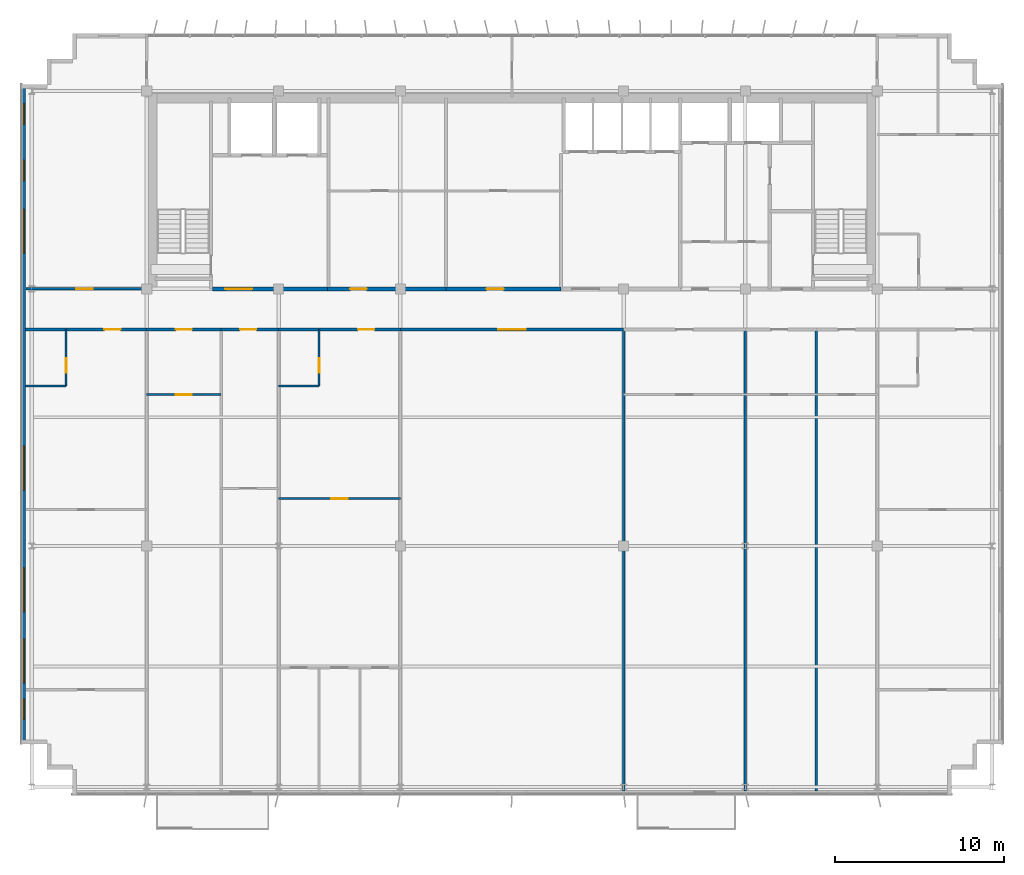
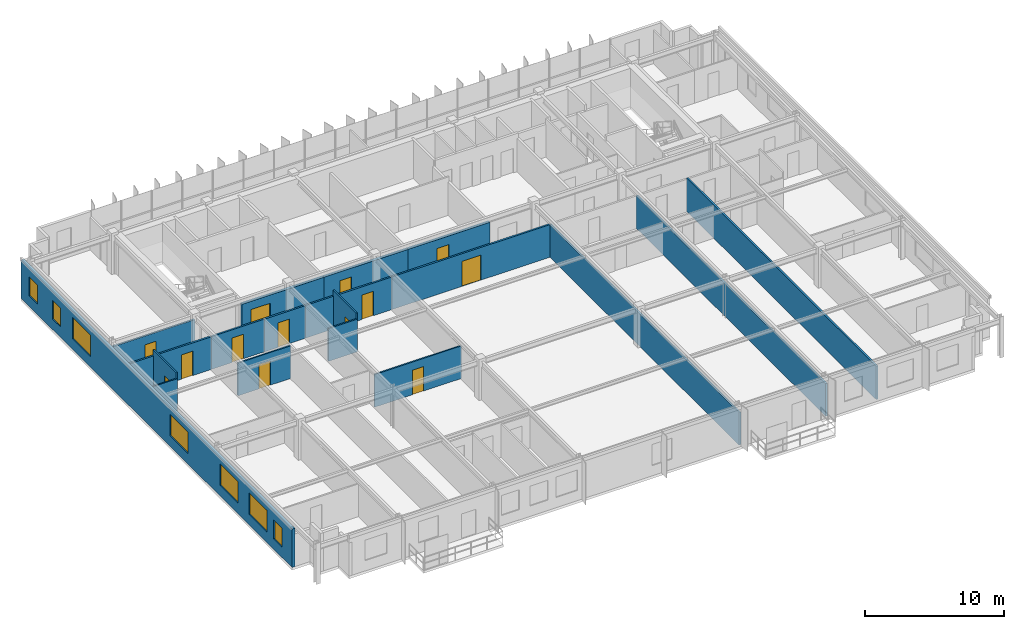
# One storey, part 17 of 22: 19 walls, 13 doors, 7 windows, 20 openings.
"""IFC4 building model written with IfcOpenShell, lengths in metres."""

from ifc_helpers import new_model, si_unit, direction, frame, frame_2d, origin, place, context, subcontext, project, spatial, rectangle, extrude, source, transform, mapped, material, layer, layer_set, type_object, element, fill, save


model = new_model("IFC4")

# Units and contexts
model_context = context("Model", 3, precision=1e-05, world=origin(), true_north=direction((0.0, 1.0)))
body_context = subcontext(model_context, "Body", "Model", "MODEL_VIEW")
ifc_project = project(units=[si_unit("LENGTHUNIT", "METRE"), si_unit("AREAUNIT", "SQUARE_METRE"), si_unit("VOLUMEUNIT", "CUBIC_METRE"), si_unit("PLANEANGLEUNIT", "RADIAN"), si_unit("MASSUNIT", "GRAM", prefix="KILO")], contexts=[model_context])

# Site, building, storey
site_placement = place(None, origin())
site = spatial("IfcSite", under=ifc_project, at=site_placement, CompositionType="ELEMENT")
building_placement = place(site_placement, origin())
building = spatial("IfcBuilding", under=site, at=building_placement, Name="Trelvane Seafront Commons", CompositionType="ELEMENT")
storey_placement = place(building_placement, frame((0.0, 0.0, 270.300048828125)))
storey = spatial("IfcBuildingStorey", under=building, at=storey_placement, Name="L70", CompositionType="ELEMENT", Elevation=270.300048828125)

# Wall, openings, windows
ifc_material_1 = material(Name="Precast concrete C40/50", Category="concrete")
ifc_layer_1 = layer(ifc_material_1, 0.239990234375, Name="ARCH-WALL-EXT240")
ifc_layer_set_1 = layer_set([ifc_layer_1], Name="Precast concrete C40/50")
wall_type_1 = type_object("IfcWallType", Name="ARCH-WALL-EXT240", PredefinedType="SOLIDWALL", material=ifc_layer_set_1)
wall_1_placement = place(storey_placement, frame((8.320068359375, 6.5, 0.0), z_axis=(0.0, 0.0, 1.0), x_axis=(0.0, 1.0, 0.0)))
wall_1 = element("IfcWall", 1, at=wall_1_placement, inside=storey, type_object=wall_type_1, Name="EW-L70-01408", PredefinedType="SOLIDWALL", context=body_context, shape_type="SweptSolid", body=[
    extrude(rectangle(XDim=39.0, YDim=0.239990234375, at=frame_2d((19.5, 0.0))), origin(), (0.0, 0.0, 1.0), 3.369873046875),
])
opening_1_placement = place(wall_1_placement, frame((1.449951171875, 0.0, 0.919921875)))
opening_1 = element("IfcOpeningElement", 2, at=opening_1_placement, cuts=wall_1, Name="Opening W05", PredefinedType="OPENING", context=body_context, shape_type="SweptSolid", body=[
    extrude(rectangle(XDim=1.199951171875, YDim=1.64990234375, at=frame_2d((0.60009765625, 0.824951171875))), frame((0.0, 0.1298828125, 0.0), z_axis=(0.0, -1.0, 0.0), x_axis=(1.0, 0.0, 0.0)), (0.0, 0.0, 1.0), 0.260009765625),
])
opening_2_placement = place(wall_1_placement, frame((3.60009765625, 0.0, 0.919921875)))
opening_2 = element("IfcOpeningElement", 3, at=opening_2_placement, cuts=wall_1, Name="Opening W04", PredefinedType="OPENING", context=body_context, shape_type="SweptSolid", body=[
    extrude(rectangle(XDim=2.60009765625, YDim=1.89990234375, at=frame_2d((1.300048828125, 0.949951171875))), frame((0.0, 0.1298828125, 0.0), z_axis=(0.0, -1.0, 0.0), x_axis=(1.0, 0.0, 0.0)), (0.0, 0.0, 1.0), 0.260009765625),
])
opening_3_placement = place(wall_1_placement, frame((7.800048828125, 0.0, 0.919921875)))
opening_3 = element("IfcOpeningElement", 4, at=opening_3_placement, cuts=wall_1, Name="Opening W04", PredefinedType="OPENING", context=body_context, shape_type="SweptSolid", body=[
    extrude(rectangle(XDim=2.60009765625, YDim=1.89990234375, at=frame_2d((1.300048828125, 0.949951171875))), frame((0.0, 0.1298828125, 0.0), z_axis=(0.0, -1.0, 0.0), x_axis=(1.0, 0.0, 0.0)), (0.0, 0.0, 1.0), 0.260009765625),
])
opening_4_placement = place(wall_1_placement, frame((15.0, 0.0, 0.919921875)))
opening_4 = element("IfcOpeningElement", 5, at=opening_4_placement, cuts=wall_1, Name="Opening W04", PredefinedType="OPENING", context=body_context, shape_type="SweptSolid", body=[
    extrude(rectangle(XDim=2.60009765625, YDim=1.89990234375, at=frame_2d((1.300048828125, 0.949951171875))), frame((0.0, 0.1298828125, 0.0), z_axis=(0.0, -1.0, 0.0), x_axis=(1.0, 0.0, 0.0)), (0.0, 0.0, 1.0), 0.260009765625),
])
opening_5_placement = place(wall_1_placement, frame((29.0, 0.0, 0.919921875)))
opening_5 = element("IfcOpeningElement", 6, at=opening_5_placement, cuts=wall_1, Name="Opening W04", PredefinedType="OPENING", context=body_context, shape_type="SweptSolid", body=[
    extrude(rectangle(XDim=2.60009765625, YDim=1.89990234375, at=frame_2d((1.300048828125, 0.949951171875))), frame((0.0, 0.1298828125, 0.0), z_axis=(0.0, -1.0, 0.0), x_axis=(1.0, 0.0, 0.0)), (0.0, 0.0, 1.0), 0.260009765625),
])
opening_6_placement = place(wall_1_placement, frame((33.300048828125, 0.0, 0.919921875)))
opening_6 = element("IfcOpeningElement", 7, at=opening_6_placement, cuts=wall_1, Name="Opening W05", PredefinedType="OPENING", context=body_context, shape_type="SweptSolid", body=[
    extrude(rectangle(XDim=1.199951171875, YDim=1.64990234375, at=frame_2d((0.60009765625, 0.824951171875))), frame((0.0, 0.1298828125, 0.0), z_axis=(0.0, -1.0, 0.0), x_axis=(1.0, 0.0, 0.0)), (0.0, 0.0, 1.0), 0.260009765625),
])
opening_7_placement = place(wall_1_placement, frame((36.64990234375, 0.0, 0.919921875)))
opening_7 = element("IfcOpeningElement", 8, at=opening_7_placement, cuts=wall_1, Name="Opening W05", PredefinedType="OPENING", context=body_context, shape_type="SweptSolid", body=[
    extrude(rectangle(XDim=1.199951171875, YDim=1.64990234375, at=frame_2d((0.60009765625, 0.824951171875))), frame((0.0, 0.1298828125, 0.0), z_axis=(0.0, -1.0, 0.0), x_axis=(1.0, 0.0, 0.0)), (0.0, 0.0, 1.0), 0.260009765625),
])
ifc_material_2 = material(Name="Low-E coastal double glazing", Category="glass")
window_type_1 = type_object("IfcWindowType", Name="ARCH-WIN-W04", PartitioningType="SINGLE_PANEL", PredefinedType="WINDOW", material=ifc_material_2)
shared_shape_1 = source(origin(), body_context, "Body", "SweptSolid", [
    extrude(rectangle(XDim=2.60009765625, YDim=1.89990234375, at=frame_2d((1.300048828125, 0.949951171875))), frame((0.0, 0.030029296875, 0.0), z_axis=(0.0, -1.0, 0.0), x_axis=(1.0, 0.0, 0.0)), (0.0, 0.0, 1.0), 0.06005859375),
])
window_1_placement = place(opening_2_placement, origin())
window_1 = element("IfcWindow", 9, at=window_1_placement, inside=storey, type_object=window_type_1, Name="WIN-L70-EW-01675", OverallHeight=1.89990234375, OverallWidth=2.60009765625, PartitioningType="SINGLE_PANEL", PredefinedType="WINDOW", context=body_context, shape_type="MappedRepresentation", body=[
    mapped(shared_shape_1, transform((0.0, 0.0, 0.0), x_axis=(1.0, 0.0, 0.0), y_axis=(0.0, 1.0, 0.0), z_axis=(0.0, 0.0, 1.0), scale=1.0)),
])
fill(opening_2, window_1)
window_2_placement = place(opening_3_placement, origin())
window_2 = element("IfcWindow", 10, at=window_2_placement, inside=storey, type_object=window_type_1, Name="WIN-L70-EW-01676", OverallHeight=1.89990234375, OverallWidth=2.60009765625, PartitioningType="SINGLE_PANEL", PredefinedType="WINDOW", context=body_context, shape_type="MappedRepresentation", body=[
    mapped(shared_shape_1, transform((0.0, 0.0, 0.0), x_axis=(1.0, 0.0, 0.0), y_axis=(0.0, 1.0, 0.0), z_axis=(0.0, 0.0, 1.0), scale=1.0)),
])
fill(opening_3, window_2)
window_3_placement = place(opening_4_placement, origin())
window_3 = element("IfcWindow", 11, at=window_3_placement, inside=storey, type_object=window_type_1, Name="WIN-L70-EW-01677", OverallHeight=1.89990234375, OverallWidth=2.60009765625, PartitioningType="SINGLE_PANEL", PredefinedType="WINDOW", context=body_context, shape_type="MappedRepresentation", body=[
    mapped(shared_shape_1, transform((0.0, 0.0, 0.0), x_axis=(1.0, 0.0, 0.0), y_axis=(0.0, 1.0, 0.0), z_axis=(0.0, 0.0, 1.0), scale=1.0)),
])
fill(opening_4, window_3)
window_4_placement = place(opening_5_placement, origin())
window_4 = element("IfcWindow", 12, at=window_4_placement, inside=storey, type_object=window_type_1, Name="WIN-L70-EW-01678", OverallHeight=1.89990234375, OverallWidth=2.60009765625, PartitioningType="SINGLE_PANEL", PredefinedType="WINDOW", context=body_context, shape_type="MappedRepresentation", body=[
    mapped(shared_shape_1, transform((0.0, 0.0, 0.0), x_axis=(1.0, 0.0, 0.0), y_axis=(0.0, 1.0, 0.0), z_axis=(0.0, 0.0, 1.0), scale=1.0)),
])
fill(opening_5, window_4)
window_type_2 = type_object("IfcWindowType", Name="ARCH-WIN-W05", PartitioningType="SINGLE_PANEL", PredefinedType="WINDOW", material=ifc_material_2)
shared_shape_2 = source(origin(), body_context, "Body", "SweptSolid", [
    extrude(rectangle(XDim=1.199951171875, YDim=1.64990234375, at=frame_2d((0.60009765625, 0.824951171875))), frame((0.0, 0.030029296875, 0.0), z_axis=(0.0, -1.0, 0.0), x_axis=(1.0, 0.0, 0.0)), (0.0, 0.0, 1.0), 0.06005859375),
])
window_5_placement = place(opening_1_placement, origin())
window_5 = element("IfcWindow", 13, at=window_5_placement, inside=storey, type_object=window_type_2, Name="WIN-L70-EW-01674", OverallHeight=1.64990234375, OverallWidth=1.199951171875, PartitioningType="SINGLE_PANEL", PredefinedType="WINDOW", context=body_context, shape_type="MappedRepresentation", body=[
    mapped(shared_shape_2, transform((0.0, 0.0, 0.0), x_axis=(1.0, 0.0, 0.0), y_axis=(0.0, 1.0, 0.0), z_axis=(0.0, 0.0, 1.0), scale=1.0)),
])
fill(opening_1, window_5)
window_6_placement = place(opening_6_placement, origin())
window_6 = element("IfcWindow", 14, at=window_6_placement, inside=storey, type_object=window_type_2, Name="WIN-L70-EW-01679", OverallHeight=1.64990234375, OverallWidth=1.199951171875, PartitioningType="SINGLE_PANEL", PredefinedType="WINDOW", context=body_context, shape_type="MappedRepresentation", body=[
    mapped(shared_shape_2, transform((0.0, 0.0, 0.0), x_axis=(1.0, 0.0, 0.0), y_axis=(0.0, 1.0, 0.0), z_axis=(0.0, 0.0, 1.0), scale=1.0)),
])
fill(opening_6, window_6)
window_7_placement = place(opening_7_placement, origin())
window_7 = element("IfcWindow", 15, at=window_7_placement, inside=storey, type_object=window_type_2, Name="WIN-L70-EW-01680", OverallHeight=1.64990234375, OverallWidth=1.199951171875, PartitioningType="SINGLE_PANEL", PredefinedType="WINDOW", context=body_context, shape_type="MappedRepresentation", body=[
    mapped(shared_shape_2, transform((0.0, 0.0, 0.0), x_axis=(1.0, 0.0, 0.0), y_axis=(0.0, 1.0, 0.0), z_axis=(0.0, 0.0, 1.0), scale=1.0)),
])
fill(opening_7, window_7)

# Wall, opening, door
ifc_material_3 = material(Name="Concrete C40/50", Category="concrete")
ifc_layer_2 = layer(ifc_material_3, 0.25, Name="ARCH-WALL-FIRE250")
ifc_layer_set_2 = layer_set([ifc_layer_2], Name="Concrete C40/50")
wall_type_2 = type_object("IfcWallType", Name="ARCH-WALL-FIRE250", PredefinedType="PARTITIONING", material=ifc_layer_set_2)
wall_2_placement = place(storey_placement, frame((19.5, 33.39990234375, 0.0), z_axis=(0.0, 0.0, 1.0), x_axis=(1.0, 0.0, 0.0)))
wall_2 = element("IfcWall", 16, at=wall_2_placement, inside=storey, type_object=wall_type_2, Name="W-L70-CS-FFL-013", PredefinedType="PARTITIONING", context=body_context, shape_type="SweptSolid", body=[
    extrude(rectangle(XDim=6.800048828125, YDim=0.25, at=frame_2d((3.39990234375, 0.0))), origin(), (0.0, 0.0, 1.0), 2.919921875),
])
opening_8_placement = place(wall_2_placement, frame((0.75, 0.0, 0.0)))
opening_8 = element("IfcOpeningElement", 17, at=opening_8_placement, cuts=wall_2, Name="Opening FD-L70-05", PredefinedType="OPENING", context=body_context, shape_type="SweptSolid", body=[
    extrude(rectangle(XDim=1.60009765625, YDim=2.199951171875, at=frame_2d((0.800048828125, 1.10009765625))), frame((0.0, 0.135009765625, 0.0), z_axis=(0.0, -1.0, 0.0), x_axis=(1.0, 0.0, 0.0)), (0.0, 0.0, 1.0), 0.27001953125),
])
ifc_material_4 = material(Name="Powder-coated aluminium frame", Category="aluminium")
door_type_1 = type_object("IfcDoorType", Name="ARCH-DR-FD60-1600", OperationType="DOUBLE_DOOR_SINGLE_SWING", PredefinedType="DOOR", material=ifc_material_4)
shared_shape_3 = source(origin(), body_context, "Body", "SweptSolid", [
    extrude(rectangle(XDim=1.60009765625, YDim=2.199951171875, at=frame_2d((0.800048828125, 1.10009765625))), frame((0.0, 0.02490234375, 0.0), z_axis=(0.0, -1.0, 0.0), x_axis=(1.0, 0.0, 0.0)), (0.0, 0.0, 1.0), 0.050048828125),
])
door_1_placement = place(opening_8_placement, origin())
door_1 = element("IfcDoor", 18, at=door_1_placement, inside=storey, type_object=door_type_1, Name="L70 Firefighting Lift Lobby Double Fire Door", OperationType="DOUBLE_DOOR_SINGLE_SWING", OverallHeight=2.199951171875, OverallWidth=1.60009765625, PredefinedType="DOOR", context=body_context, shape_type="MappedRepresentation", body=[
    mapped(shared_shape_3, transform((0.0, 0.0, 0.0), x_axis=(1.0, 0.0, 0.0), y_axis=(0.0, 1.0, 0.0), z_axis=(0.0, 0.0, 1.0), scale=1.0)),
])
fill(opening_8, door_1)

wall_3_placement = place(storey_placement, frame((26.300048828125, 33.39990234375, 0.0), z_axis=(0.0, 0.0, 1.0), x_axis=(1.0, 0.0, 0.0)))
wall_3 = element("IfcWall", 19, at=wall_3_placement, inside=storey, type_object=wall_type_2, Name="W-L70-CS-FPL-024", PredefinedType="PARTITIONING", context=body_context, shape_type="SweptSolid", body=[
    extrude(rectangle(XDim=7.0, YDim=0.25, at=frame_2d((3.5, 0.0))), origin(), (0.0, 0.0, 1.0), 2.919921875),
])
opening_9_placement = place(wall_3_placement, frame((1.35009765625, 0.0, 0.0)))
opening_9 = element("IfcOpeningElement", 20, at=opening_9_placement, cuts=wall_3, Name="Opening D-L70-12", PredefinedType="OPENING", context=body_context, shape_type="SweptSolid", body=[
    extrude(rectangle(XDim=0.949951171875, YDim=2.14990234375, at=frame_2d((0.47509765625, 1.074951171875))), frame((0.0, 0.135009765625, 0.0), z_axis=(0.0, -1.0, 0.0), x_axis=(1.0, 0.0, 0.0)), (0.0, 0.0, 1.0), 0.27001953125),
])
ifc_material_5 = material(Name="Acoustic timber door leaf", Category="wood")
door_type_2 = type_object("IfcDoorType", Name="ARCH-DR-INT950", OperationType="NOTDEFINED", PredefinedType="DOOR", material=ifc_material_5)
shared_shape_4 = source(origin(), body_context, "Body", "SweptSolid", [
    extrude(rectangle(XDim=0.949951171875, YDim=2.14990234375, at=frame_2d((0.47509765625, 1.074951171875))), frame((0.0, 0.02490234375, 0.0), z_axis=(0.0, -1.0, 0.0), x_axis=(1.0, 0.0, 0.0)), (0.0, 0.0, 1.0), 0.050048828125),
])
door_2_placement = place(opening_9_placement, origin())
door_2 = element("IfcDoor", 21, at=door_2_placement, inside=storey, type_object=door_type_2, Name="L70 Floor Pantry Entrance Door", OperationType="SINGLE_SWING_RIGHT", OverallHeight=2.14990234375, OverallWidth=0.949951171875, PredefinedType="DOOR", context=body_context, shape_type="MappedRepresentation", body=[
    mapped(shared_shape_4, transform((0.0, 0.0, 0.0), x_axis=(1.0, 0.0, 0.0), y_axis=(0.0, 1.0, 0.0), z_axis=(0.0, 0.0, 1.0), scale=1.0)),
])
fill(opening_9, door_2)

wall_4_placement = place(storey_placement, frame((33.300048828125, 33.39990234375, 0.0), z_axis=(0.0, 0.0, 1.0), x_axis=(1.0, 0.0, 0.0)))
wall_4 = element("IfcWall", 22, at=wall_4_placement, inside=storey, type_object=wall_type_2, Name="W-L70-CS-FPM-025", PredefinedType="PARTITIONING", context=body_context, shape_type="SweptSolid", body=[
    extrude(rectangle(XDim=6.800048828125, YDim=0.25, at=frame_2d((3.39990234375, 0.0))), origin(), (0.0, 0.0, 1.0), 2.919921875),
])
opening_10_placement = place(wall_4_placement, frame((2.39990234375, 0.0, 0.0)))
opening_10 = element("IfcOpeningElement", 23, at=opening_10_placement, cuts=wall_4, Name="Opening FD-L70-13", PredefinedType="OPENING", context=body_context, shape_type="SweptSolid", body=[
    extrude(rectangle(XDim=1.0, YDim=2.14990234375, at=frame_2d((0.5, 1.074951171875))), frame((0.0, 0.135009765625, 0.0), z_axis=(0.0, -1.0, 0.0), x_axis=(1.0, 0.0, 0.0)), (0.0, 0.0, 1.0), 0.27001953125),
])
door_type_3 = type_object("IfcDoorType", Name="ARCH-DR-FD60-1000", OperationType="NOTDEFINED", PredefinedType="DOOR", material=ifc_material_4)
shared_shape_5 = source(origin(), body_context, "Body", "SweptSolid", [
    extrude(rectangle(XDim=1.0, YDim=2.14990234375, at=frame_2d((0.5, 1.074951171875))), frame((0.0, 0.02490234375, 0.0), z_axis=(0.0, -1.0, 0.0), x_axis=(1.0, 0.0, 0.0)), (0.0, 0.0, 1.0), 0.050048828125),
])
door_3_placement = place(opening_10_placement, origin())
door_3 = element("IfcDoor", 24, at=door_3_placement, inside=storey, type_object=door_type_3, Name="L70 Trunk Storage Door", OperationType="SINGLE_SWING_LEFT", OverallHeight=2.14990234375, OverallWidth=1.0, PredefinedType="DOOR", context=body_context, shape_type="MappedRepresentation", body=[
    mapped(shared_shape_5, transform((0.0, 0.0, 0.0), x_axis=(1.0, 0.0, 0.0), y_axis=(0.0, 1.0, 0.0), z_axis=(0.0, 0.0, 1.0), scale=1.0)),
])
fill(opening_10, door_3)

ifc_material_6 = material(Name="Gypsum Drywall Acoustic Partition")
ifc_layer_3 = layer(ifc_material_6, 0.1201171875, Name="ARCH-WALL-PART120")
ifc_layer_set_3 = layer_set([ifc_layer_3], Name="Gypsum Drywall Acoustic Partition")
wall_type_3 = type_object("IfcWallType", Name="ARCH-WALL-PART120", PredefinedType="PARTITIONING", material=ifc_layer_set_3)
wall_5_placement = place(storey_placement, frame((10.840087890625, 27.64990234375, 0.0), z_axis=(0.0, 0.0, 1.0), x_axis=(0.0, 1.0, 0.0)))
wall_5 = element("IfcWall", 25, at=wall_5_placement, inside=storey, type_object=wall_type_3, Name="W-L70-U1-BE-054", PredefinedType="PARTITIONING", context=body_context, shape_type="SweptSolid", body=[
    extrude(rectangle(XDim=3.35009765625, YDim=0.1201171875, at=frame_2d((1.675048828125, 0.0))), origin(), (0.0, 0.0, 1.0), 3.369873046875),
])
opening_11_placement = place(wall_5_placement, frame((0.800048828125, 0.0, 0.0)))
opening_11 = element("IfcOpeningElement", 26, at=opening_11_placement, cuts=wall_5, Name="Opening D-L70-31", PredefinedType="OPENING", context=body_context, shape_type="SweptSolid", body=[
    extrude(rectangle(XDim=0.85009765625, YDim=2.10009765625, at=frame_2d((0.425048828125, 1.050048828125))), frame((0.0, 0.070068359375, 0.0), z_axis=(0.0, -1.0, 0.0), x_axis=(1.0, 0.0, 0.0)), (0.0, 0.0, 1.0), 0.14013671875),
])
door_type_4 = type_object("IfcDoorType", Name="ARCH-DR-INT850", OperationType="NOTDEFINED", PredefinedType="DOOR", material=ifc_material_5)
shared_shape_6 = source(origin(), body_context, "Body", "SweptSolid", [
    extrude(rectangle(XDim=0.85009765625, YDim=2.10009765625, at=frame_2d((0.425048828125, 1.050048828125))), frame((0.0, 0.02490234375, 0.0), z_axis=(0.0, -1.0, 0.0), x_axis=(1.0, 0.0, 0.0)), (0.0, 0.0, 1.0), 0.050048828125),
])
door_4_placement = place(opening_11_placement, origin())
door_4 = element("IfcDoor", 27, at=door_4_placement, inside=storey, type_object=door_type_4, Name="L70 Door 31", OperationType="SINGLE_SWING_LEFT", OverallHeight=2.10009765625, OverallWidth=0.85009765625, PredefinedType="DOOR", context=body_context, shape_type="MappedRepresentation", body=[
    mapped(shared_shape_6, transform((0.0, 0.0, 0.0), x_axis=(1.0, 0.0, 0.0), y_axis=(0.0, 1.0, 0.0), z_axis=(0.0, 0.0, 1.0), scale=1.0)),
])
fill(opening_11, door_4)

# Wall
wall_6_placement = place(storey_placement, frame((8.43994140625, 27.64990234375, 0.0), z_axis=(0.0, 0.0, 1.0), x_axis=(1.0, 0.0, 0.0)))
element("IfcWall", 28, at=wall_6_placement, inside=storey, type_object=wall_type_3, Name="W-L70-U1-BS-055", PredefinedType="PARTITIONING", context=body_context, shape_type="SweptSolid", body=[
    extrude(rectangle(XDim=2.400146484375, YDim=0.1201171875, at=frame_2d((1.2001953125, 0.0))), origin(), (0.0, 0.0, 1.0), 2.869873046875),
])

# Wall, opening, door
wall_7_placement = place(storey_placement, frame((15.60009765625, 27.14990234375, 0.0), z_axis=(0.0, 0.0, 1.0), x_axis=(1.0, 0.0, 0.0)))
wall_7 = element("IfcWall", 29, at=wall_7_placement, inside=storey, type_object=wall_type_3, Name="W-L70-U2-DIV-059", PredefinedType="PARTITIONING", context=body_context, shape_type="SweptSolid", body=[
    extrude(rectangle(XDim=4.39990234375, YDim=0.1201171875, at=frame_2d((2.199951171875, 0.0))), origin(), (0.0, 0.0, 1.0), 2.869873046875),
])
opening_12_placement = place(wall_7_placement, frame((1.72509765625, 0.0, 0.0)))
opening_12 = element("IfcOpeningElement", 30, at=opening_12_placement, cuts=wall_7, Name="Opening D-L70-35", PredefinedType="OPENING", context=body_context, shape_type="SweptSolid", body=[
    extrude(rectangle(XDim=0.949951171875, YDim=2.14990234375, at=frame_2d((0.47509765625, 1.074951171875))), frame((0.0, 0.070068359375, 0.0), z_axis=(0.0, -1.0, 0.0), x_axis=(1.0, 0.0, 0.0)), (0.0, 0.0, 1.0), 0.14013671875),
])
door_5_placement = place(opening_12_placement, origin())
door_5 = element("IfcDoor", 31, at=door_5_placement, inside=storey, type_object=door_type_2, Name="L70 Door 35", OperationType="SINGLE_SWING_LEFT", OverallHeight=2.14990234375, OverallWidth=0.949951171875, PredefinedType="DOOR", context=body_context, shape_type="MappedRepresentation", body=[
    mapped(shared_shape_4, transform((0.0, 0.0, 0.0), x_axis=(1.0, 0.0, 0.0), y_axis=(0.0, 1.0, 0.0), z_axis=(0.0, 0.0, 1.0), scale=1.0)),
])
fill(opening_12, door_5)

wall_8_placement = place(storey_placement, frame((23.39990234375, 21.0, 0.0), z_axis=(0.0, 0.0, 1.0), x_axis=(1.0, 0.0, 0.0)))
wall_8 = element("IfcWall", 32, at=wall_8_placement, inside=storey, type_object=wall_type_3, Name="W-L70-U4-KL-062", PredefinedType="PARTITIONING", context=body_context, shape_type="SweptSolid", body=[
    extrude(rectangle(XDim=7.2001953125, YDim=0.1201171875, at=frame_2d((3.60009765625, 0.0))), origin(), (0.0, 0.0, 1.0), 2.869873046875),
])
opening_13_placement = place(wall_8_placement, frame((3.125, 0.0, 0.0)))
opening_13 = element("IfcOpeningElement", 33, at=opening_13_placement, cuts=wall_8, Name="Opening D-L70-38", PredefinedType="OPENING", context=body_context, shape_type="SweptSolid", body=[
    extrude(rectangle(XDim=0.949951171875, YDim=2.14990234375, at=frame_2d((0.47509765625, 1.074951171875))), frame((0.0, 0.070068359375, 0.0), z_axis=(0.0, -1.0, 0.0), x_axis=(1.0, 0.0, 0.0)), (0.0, 0.0, 1.0), 0.14013671875),
])
door_6_placement = place(opening_13_placement, origin())
door_6 = element("IfcDoor", 34, at=door_6_placement, inside=storey, type_object=door_type_2, Name="L70 Door 38", OperationType="SINGLE_SWING_RIGHT", OverallHeight=2.14990234375, OverallWidth=0.949951171875, PredefinedType="DOOR", context=body_context, shape_type="MappedRepresentation", body=[
    mapped(shared_shape_4, transform((0.0, 0.0, 0.0), x_axis=(1.0, 0.0, 0.0), y_axis=(0.0, 1.0, 0.0), z_axis=(0.0, 0.0, 1.0), scale=1.0)),
])
fill(opening_13, door_6)

wall_9_placement = place(storey_placement, frame((25.800048828125, 27.64990234375, 0.0), z_axis=(0.0, 0.0, 1.0), x_axis=(0.0, 1.0, 0.0)))
wall_9 = element("IfcWall", 35, at=wall_9_placement, inside=storey, type_object=wall_type_3, Name="W-L70-U4-BE-063", PredefinedType="PARTITIONING", context=body_context, shape_type="SweptSolid", body=[
    extrude(rectangle(XDim=3.35009765625, YDim=0.1201171875, at=frame_2d((1.675048828125, 0.0))), origin(), (0.0, 0.0, 1.0), 3.369873046875),
])
opening_14_placement = place(wall_9_placement, frame((0.800048828125, 0.0, 0.0)))
opening_14 = element("IfcOpeningElement", 36, at=opening_14_placement, cuts=wall_9, Name="Opening D-L70-39", PredefinedType="OPENING", context=body_context, shape_type="SweptSolid", body=[
    extrude(rectangle(XDim=0.85009765625, YDim=2.10009765625, at=frame_2d((0.425048828125, 1.050048828125))), frame((0.0, 0.070068359375, 0.0), z_axis=(0.0, -1.0, 0.0), x_axis=(1.0, 0.0, 0.0)), (0.0, 0.0, 1.0), 0.14013671875),
])
door_7_placement = place(opening_14_placement, origin())
door_7 = element("IfcDoor", 37, at=door_7_placement, inside=storey, type_object=door_type_4, Name="L70 Door 39", OperationType="SINGLE_SWING_LEFT", OverallHeight=2.10009765625, OverallWidth=0.85009765625, PredefinedType="DOOR", context=body_context, shape_type="MappedRepresentation", body=[
    mapped(shared_shape_6, transform((0.0, 0.0, 0.0), x_axis=(1.0, 0.0, 0.0), y_axis=(0.0, 1.0, 0.0), z_axis=(0.0, 0.0, 1.0), scale=1.0)),
])
fill(opening_14, door_7)

# Wall
wall_10_placement = place(storey_placement, frame((23.39990234375, 27.64990234375, 0.0), z_axis=(0.0, 0.0, 1.0), x_axis=(1.0, 0.0, 0.0)))
element("IfcWall", 38, at=wall_10_placement, inside=storey, type_object=wall_type_3, Name="W-L70-U4-BS-064", PredefinedType="PARTITIONING", context=body_context, shape_type="SweptSolid", body=[
    extrude(rectangle(XDim=2.400146484375, YDim=0.1201171875, at=frame_2d((1.2001953125, 0.0))), origin(), (0.0, 0.0, 1.0), 2.869873046875),
])

# Wall, opening, door
ifc_layer_4 = layer(ifc_material_6, 0.14990234375, Name="ARCH-WALL-PART150")
ifc_layer_set_4 = layer_set([ifc_layer_4], Name="Gypsum Drywall Acoustic Partition")
wall_type_4 = type_object("IfcWallType", Name="ARCH-WALL-PART150", PredefinedType="PARTITIONING", material=ifc_layer_set_4)
wall_11_placement = place(storey_placement, frame((8.449951171875, 33.39990234375, 0.0), z_axis=(0.0, 0.0, 1.0), x_axis=(1.0, 0.0, 0.0)))
wall_11 = element("IfcWall", 39, at=wall_11_placement, inside=storey, type_object=wall_type_4, Name="W-L70-NW-ENT-035", PredefinedType="PARTITIONING", context=body_context, shape_type="SweptSolid", body=[
    extrude(rectangle(XDim=7.150146484375, YDim=0.14990234375, at=frame_2d((3.5751953125, 0.0))), origin(), (0.0, 0.0, 1.0), 2.919921875),
])
opening_15_placement = place(wall_11_placement, frame((3.0, 0.0, 0.0)))
opening_15 = element("IfcOpeningElement", 40, at=opening_15_placement, cuts=wall_11, Name="Opening FD-L70-22", PredefinedType="OPENING", context=body_context, shape_type="SweptSolid", body=[
    extrude(rectangle(XDim=0.949951171875, YDim=2.14990234375, at=frame_2d((0.47509765625, 1.074951171875))), frame((0.0, 0.0849609375, 0.0), z_axis=(0.0, -1.0, 0.0), x_axis=(1.0, 0.0, 0.0)), (0.0, 0.0, 1.0), 0.169921875),
])
door_type_5 = type_object("IfcDoorType", Name="ARCH-DR-FD60-950", OperationType="NOTDEFINED", PredefinedType="DOOR", material=ifc_material_4)
door_8_placement = place(opening_15_placement, origin())
door_8 = element("IfcDoor", 41, at=door_8_placement, inside=storey, type_object=door_type_5, Name="L70 NW Suite Entrance Door", OperationType="SINGLE_SWING_RIGHT", OverallHeight=2.14990234375, OverallWidth=0.949951171875, PredefinedType="DOOR", context=body_context, shape_type="MappedRepresentation", body=[
    mapped(shared_shape_4, transform((0.0, 0.0, 0.0), x_axis=(1.0, 0.0, 0.0), y_axis=(0.0, 1.0, 0.0), z_axis=(0.0, 0.0, 1.0), scale=1.0)),
])
fill(opening_15, door_8)

# Walls
for number, where, z_axis, x_axis, name in (
    (42, (43.800048828125, 3.72509765625, 0.0), (0.0, 0.0, 1.0), (0.0, 1.0, 0.0), "W-L70-PW-5-049"),
    (43, (51.0, 3.72509765625, 0.0), (0.0, 0.0, 1.0), (0.0, 1.0, 0.0), "W-L70-PW-6-050"),
):
    element("IfcWall", number, at=place(storey_placement, frame(where, z_axis=z_axis, x_axis=x_axis)), inside=storey, type_object=wall_type_4, Name=name, PredefinedType="PARTITIONING", context=body_context, shape_type="SweptSolid", body=[
        extrude(rectangle(XDim=27.27490234375, YDim=0.14990234375, at=frame_2d((13.637451171875, 0.0))), origin(), (0.0, 0.0, 1.0), 2.869873046875),
    ])
wall_12_placement = place(storey_placement, frame((55.199951171875, 3.72509765625, 0.0), z_axis=(0.0, 0.0, 1.0), x_axis=(0.0, 1.0, 0.0)))
element("IfcWall", 44, at=wall_12_placement, inside=storey, type_object=wall_type_4, Name="W-L70-PW-7-051", PredefinedType="PARTITIONING", context=body_context, shape_type="SweptSolid", body=[
    extrude(rectangle(XDim=27.27490234375, YDim=0.14990234375, at=frame_2d((13.637451171875, 0.0))), origin(), (0.0, 0.0, 1.0), 2.919921875),
])

# Wall, opening, door
wall_13_placement = place(storey_placement, frame((8.425048828125, 31.0, 0.0), z_axis=(0.0, 0.0, 1.0), x_axis=(1.0, 0.0, 0.0)))
wall_13 = element("IfcWall", 45, at=wall_13_placement, inside=storey, type_object=wall_type_4, Name="W-L70-CS-BAY-1-056", PredefinedType="PARTITIONING", context=body_context, shape_type="SweptSolid", body=[
    extrude(rectangle(XDim=7.175048828125, YDim=0.14990234375, at=frame_2d((3.58740234375, 0.0))), origin(), (0.0, 0.0, 1.0), 2.869873046875),
])
opening_16_placement = place(wall_13_placement, frame((4.680908203125, 0.0, 0.0)))
opening_16 = element("IfcOpeningElement", 46, at=opening_16_placement, cuts=wall_13, Name="Opening FD-L70-32", PredefinedType="OPENING", context=body_context, shape_type="SweptSolid", body=[
    extrude(rectangle(XDim=0.949951171875, YDim=2.14990234375, at=frame_2d((0.47509765625, 1.074951171875))), frame((0.0, 0.0849609375, 0.0), z_axis=(0.0, -1.0, 0.0), x_axis=(1.0, 0.0, 0.0)), (0.0, 0.0, 1.0), 0.169921875),
])
door_9_placement = place(opening_16_placement, origin())
door_9 = element("IfcDoor", 47, at=door_9_placement, inside=storey, type_object=door_type_5, Name="L70 Unit 01 Entrance Door", OperationType="SINGLE_SWING_RIGHT", OverallHeight=2.14990234375, OverallWidth=0.949951171875, PredefinedType="DOOR", context=body_context, shape_type="MappedRepresentation", body=[
    mapped(shared_shape_4, transform((0.0, 0.0, 0.0), x_axis=(1.0, 0.0, 0.0), y_axis=(0.0, 1.0, 0.0), z_axis=(0.0, 0.0, 1.0), scale=1.0)),
])
fill(opening_16, door_9)

wall_14_placement = place(storey_placement, frame((15.60009765625, 31.0, 0.0), z_axis=(0.0, 0.0, 1.0), x_axis=(1.0, 0.0, 0.0)))
wall_14 = element("IfcWall", 48, at=wall_14_placement, inside=storey, type_object=wall_type_4, Name="W-L70-CS-BAY-2-058", PredefinedType="PARTITIONING", context=body_context, shape_type="SweptSolid", body=[
    extrude(rectangle(XDim=4.39990234375, YDim=0.14990234375, at=frame_2d((2.199951171875, 0.0))), origin(), (0.0, 0.0, 1.0), 2.869873046875),
])
opening_17_placement = place(wall_14_placement, frame((1.72509765625, 0.0, 0.0)))
opening_17 = element("IfcOpeningElement", 49, at=opening_17_placement, cuts=wall_14, Name="Opening FD-L70-34", PredefinedType="OPENING", context=body_context, shape_type="SweptSolid", body=[
    extrude(rectangle(XDim=0.949951171875, YDim=2.14990234375, at=frame_2d((0.47509765625, 1.074951171875))), frame((0.0, 0.0849609375, 0.0), z_axis=(0.0, -1.0, 0.0), x_axis=(1.0, 0.0, 0.0)), (0.0, 0.0, 1.0), 0.169921875),
])
door_10_placement = place(opening_17_placement, origin())
door_10 = element("IfcDoor", 50, at=door_10_placement, inside=storey, type_object=door_type_5, Name="L70 Bay 02 Entrance Door", OperationType="SINGLE_SWING_RIGHT", OverallHeight=2.14990234375, OverallWidth=0.949951171875, PredefinedType="DOOR", context=body_context, shape_type="MappedRepresentation", body=[
    mapped(shared_shape_4, transform((0.0, 0.0, 0.0), x_axis=(1.0, 0.0, 0.0), y_axis=(0.0, 1.0, 0.0), z_axis=(0.0, 0.0, 1.0), scale=1.0)),
])
fill(opening_17, door_10)

wall_15_placement = place(storey_placement, frame((20.0, 31.0, 0.0), z_axis=(0.0, 0.0, 1.0), x_axis=(1.0, 0.0, 0.0)))
wall_15 = element("IfcWall", 51, at=wall_15_placement, inside=storey, type_object=wall_type_4, Name="W-L70-CS-BAY-3-060", PredefinedType="PARTITIONING", context=body_context, shape_type="SweptSolid", body=[
    extrude(rectangle(XDim=3.39990234375, YDim=0.14990234375, at=frame_2d((1.699951171875, 0.0))), origin(), (0.0, 0.0, 1.0), 2.869873046875),
])
opening_18_placement = place(wall_15_placement, frame((1.131103515625, 0.0, 0.0)))
opening_18 = element("IfcOpeningElement", 52, at=opening_18_placement, cuts=wall_15, Name="Opening FD-L70-36", PredefinedType="OPENING", context=body_context, shape_type="SweptSolid", body=[
    extrude(rectangle(XDim=0.949951171875, YDim=2.14990234375, at=frame_2d((0.47509765625, 1.074951171875))), frame((0.0, 0.0849609375, 0.0), z_axis=(0.0, -1.0, 0.0), x_axis=(1.0, 0.0, 0.0)), (0.0, 0.0, 1.0), 0.169921875),
])
door_11_placement = place(opening_18_placement, origin())
door_11 = element("IfcDoor", 53, at=door_11_placement, inside=storey, type_object=door_type_5, Name="L70 Bay 03 Entrance Door", OperationType="SINGLE_SWING_RIGHT", OverallHeight=2.14990234375, OverallWidth=0.949951171875, PredefinedType="DOOR", context=body_context, shape_type="MappedRepresentation", body=[
    mapped(shared_shape_4, transform((0.0, 0.0, 0.0), x_axis=(1.0, 0.0, 0.0), y_axis=(0.0, 1.0, 0.0), z_axis=(0.0, 0.0, 1.0), scale=1.0)),
])
fill(opening_18, door_11)

wall_16_placement = place(storey_placement, frame((23.39990234375, 31.0, 0.0), z_axis=(0.0, 0.0, 1.0), x_axis=(1.0, 0.0, 0.0)))
wall_16 = element("IfcWall", 54, at=wall_16_placement, inside=storey, type_object=wall_type_4, Name="W-L70-CS-BAY-4-065", PredefinedType="PARTITIONING", context=body_context, shape_type="SweptSolid", body=[
    extrude(rectangle(XDim=7.2001953125, YDim=0.14990234375, at=frame_2d((3.60009765625, 0.0))), origin(), (0.0, 0.0, 1.0), 2.869873046875),
])
opening_19_placement = place(wall_16_placement, frame((4.7060546875, 0.0, 0.0)))
opening_19 = element("IfcOpeningElement", 55, at=opening_19_placement, cuts=wall_16, Name="Opening FD-L70-40", PredefinedType="OPENING", context=body_context, shape_type="SweptSolid", body=[
    extrude(rectangle(XDim=0.949951171875, YDim=2.14990234375, at=frame_2d((0.47509765625, 1.074951171875))), frame((0.0, 0.0849609375, 0.0), z_axis=(0.0, -1.0, 0.0), x_axis=(1.0, 0.0, 0.0)), (0.0, 0.0, 1.0), 0.169921875),
])
door_12_placement = place(opening_19_placement, origin())
door_12 = element("IfcDoor", 56, at=door_12_placement, inside=storey, type_object=door_type_5, Name="L70 Unit 04 Entrance Door", OperationType="SINGLE_SWING_RIGHT", OverallHeight=2.14990234375, OverallWidth=0.949951171875, PredefinedType="DOOR", context=body_context, shape_type="MappedRepresentation", body=[
    mapped(shared_shape_4, transform((0.0, 0.0, 0.0), x_axis=(1.0, 0.0, 0.0), y_axis=(0.0, 1.0, 0.0), z_axis=(0.0, 0.0, 1.0), scale=1.0)),
])
fill(opening_19, door_12)

wall_17_placement = place(storey_placement, frame((30.60009765625, 31.0, 0.0), z_axis=(0.0, 0.0, 1.0), x_axis=(1.0, 0.0, 0.0)))
wall_17 = element("IfcWall", 57, at=wall_17_placement, inside=storey, type_object=wall_type_4, Name="W-L70-CS-BAY-5-071", PredefinedType="PARTITIONING", context=body_context, shape_type="SweptSolid", body=[
    extrude(rectangle(XDim=13.199951171875, YDim=0.14990234375, at=frame_2d((6.60009765625, 0.0))), origin(), (0.0, 0.0, 1.0), 2.869873046875),
])
opening_20_placement = place(wall_17_placement, frame((5.800048828125, 0.0, 0.0)))
opening_20 = element("IfcOpeningElement", 58, at=opening_20_placement, cuts=wall_17, Name="Opening D-L70-44", PredefinedType="OPENING", context=body_context, shape_type="SweptSolid", body=[
    extrude(rectangle(XDim=1.60009765625, YDim=2.199951171875, at=frame_2d((0.800048828125, 1.10009765625))), frame((0.0, 0.0849609375, 0.0), z_axis=(0.0, -1.0, 0.0), x_axis=(1.0, 0.0, 0.0)), (0.0, 0.0, 1.0), 0.169921875),
])
door_type_6 = type_object("IfcDoorType", Name="ARCH-DR-GLZ1600", OperationType="DOUBLE_DOOR_SINGLE_SWING", PredefinedType="DOOR", material=ifc_material_5)
door_13_placement = place(opening_20_placement, origin())
door_13 = element("IfcDoor", 59, at=door_13_placement, inside=storey, type_object=door_type_6, Name="L70 Commons Lounge 05 Door", OperationType="DOUBLE_DOOR_SINGLE_SWING", OverallHeight=2.199951171875, OverallWidth=1.60009765625, PredefinedType="DOOR", context=body_context, shape_type="MappedRepresentation", body=[
    mapped(shared_shape_3, transform((0.0, 0.0, 0.0), x_axis=(1.0, 0.0, 0.0), y_axis=(0.0, 1.0, 0.0), z_axis=(0.0, 0.0, 1.0), scale=1.0)),
])
fill(opening_20, door_13)

save(model, "model.ifc")
